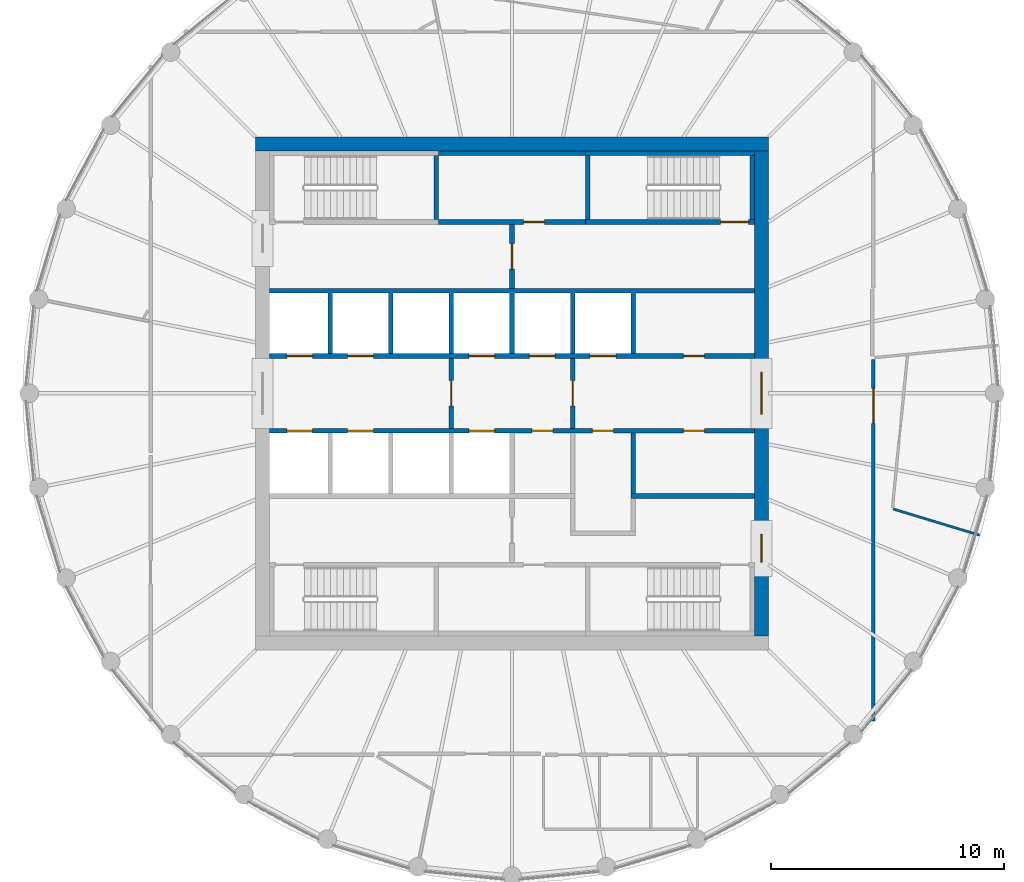
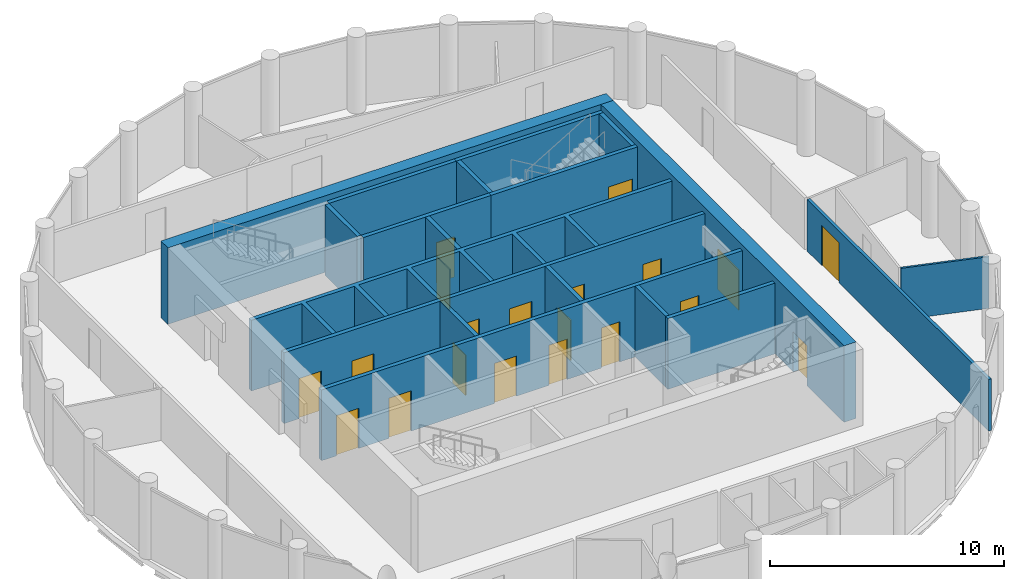
# One storey, part 5 of 7: 20 doors, 19 walls, 20 openings.
"""IFC4 building model written with IfcOpenShell, lengths in metres."""

from ifc_helpers import new_model, si_unit, direction, frame, frame_2d, origin, place, context, subcontext, project, spatial, polyline, rectangle, outline, extrude, material, layer, layer_set, type_object, element, fill, save


model = new_model("IFC4")

# Units and contexts
model_context = context("Model", 3, precision=1e-05, world=origin(), true_north=direction((0.0, 1.0)))
body_context = subcontext(model_context, "Body", "Model", "MODEL_VIEW")
ifc_project = project(units=[si_unit("LENGTHUNIT", "METRE"), si_unit("AREAUNIT", "SQUARE_METRE"), si_unit("VOLUMEUNIT", "CUBIC_METRE"), si_unit("PLANEANGLEUNIT", "RADIAN"), si_unit("MASSUNIT", "GRAM", prefix="KILO")], contexts=[model_context])

# Site, building, storey
site_placement = place(None, origin())
site = spatial("IfcSite", under=ifc_project, at=site_placement, CompositionType="ELEMENT")
building_placement = place(site_placement, origin())
building = spatial("IfcBuilding", under=site, at=building_placement, Name="Corvane Civic Tower", CompositionType="ELEMENT")
storey_placement = place(building_placement, frame((0.0, 0.0, 332.5)))
storey = spatial("IfcBuildingStorey", under=building, at=storey_placement, Name="L79", CompositionType="ELEMENT", Elevation=332.5)

# Wall
ifc_material_1 = material(Name="Concrete C40/50", Category="concrete")
ifc_layer_1 = layer(ifc_material_1, 0.60009765625)
ifc_layer_set_1 = layer_set([ifc_layer_1], Name="Concrete C40/50")
wall_type_1 = type_object("IfcWallType", Name="CORE WALL 600 C40/50", PredefinedType="SHEAR", material=ifc_layer_set_1)
wall_1_placement = place(storey_placement, frame((-11.0, 10.699951171875, 0.0), z_axis=(0.0, 0.0, 1.0), x_axis=(1.0, 0.0, 0.0)))
element("IfcWall", 1, at=wall_1_placement, inside=storey, type_object=wall_type_1, Name="W-L79-core-N", PredefinedType="SHEAR", context=body_context, shape_type="SweptSolid", body=[
    extrude(rectangle(XDim=22.0, YDim=0.60009765625, at=frame_2d((11.0, 0.0))), origin(), (0.0, 0.0, 1.0), 4.0),
])

# Wall, openings, doors
wall_2_placement = place(storey_placement, frame((10.699951171875, -10.39990234375, 0.0), z_axis=(0.0, 0.0, 1.0), x_axis=(0.0, 1.0, 0.0)))
wall_2 = element("IfcWall", 2, at=wall_2_placement, inside=storey, type_object=wall_type_1, Name="W-L79-core-E", PredefinedType="SHEAR", context=body_context, shape_type="SweptSolid", body=[
    extrude(rectangle(XDim=20.7998046875, YDim=0.60009765625, at=frame_2d((10.39990234375, 0.0))), origin(), (0.0, 0.0, 1.0), 4.0),
])
opening_1_placement = place(wall_2_placement, frame((9.5, 0.0, 0.0)))
opening_1 = element("IfcOpeningElement", 3, at=opening_1_placement, cuts=wall_2, Name="Opening L79.C16", PredefinedType="OPENING", context=body_context, shape_type="SweptSolid", body=[
    extrude(rectangle(XDim=1.800048828125, YDim=2.10009765625, at=frame_2d((0.89990234375, 1.050048828125))), frame((0.0, 0.31005859375, 0.0), z_axis=(0.0, -1.0, 0.0), x_axis=(1.0, 0.0, 0.0)), (0.0, 0.0, 1.0), 0.6201171875),
])
opening_2_placement = place(wall_2_placement, frame((3.14990234375, 0.0, 0.0)))
opening_2 = element("IfcOpeningElement", 4, at=opening_2_placement, cuts=wall_2, Name="Opening L79.C18", PredefinedType="OPENING", context=body_context, shape_type="SweptSolid", body=[
    extrude(rectangle(XDim=1.199951171875, YDim=2.10009765625, at=frame_2d((0.60009765625, 1.050048828125))), frame((0.0, 0.31005859375, 0.0), z_axis=(0.0, -1.0, 0.0), x_axis=(1.0, 0.0, 0.0)), (0.0, 0.0, 1.0), 0.6201171875),
])
ifc_material_2 = material(Name="Steel fire door leaf", Category="steel")
door_type_1 = type_object("IfcDoorType", Name="CR-DOOR-CORE-1800", OperationType="DOUBLE_DOOR_SINGLE_SWING", PredefinedType="DOOR", material=ifc_material_2)
door_1_placement = place(opening_1_placement, origin())
door_1 = element("IfcDoor", 5, at=door_1_placement, inside=storey, type_object=door_type_1, Name="L79 door", OperationType="DOUBLE_DOOR_SINGLE_SWING", OverallHeight=2.10009765625, OverallWidth=1.800048828125, PredefinedType="DOOR", context=body_context, shape_type="SweptSolid", body=[
    extrude(rectangle(XDim=1.800048828125, YDim=2.10009765625, at=frame_2d((0.89990234375, 1.050048828125))), frame((0.0, 0.02490234375, 0.0), z_axis=(0.0, -1.0, 0.0), x_axis=(1.0, 0.0, 0.0)), (0.0, 0.0, 1.0), 0.050048828125),
])
fill(opening_1, door_1)
door_2_placement = place(opening_2_placement, origin())
door_2 = element("IfcDoor", 6, at=door_2_placement, inside=storey, type_object=door_type_1, Name="L79 door", OperationType="DOUBLE_DOOR_SINGLE_SWING", OverallHeight=2.10009765625, OverallWidth=1.199951171875, PredefinedType="DOOR", context=body_context, shape_type="SweptSolid", body=[
    extrude(rectangle(XDim=1.199951171875, YDim=2.10009765625, at=frame_2d((0.60009765625, 1.050048828125))), frame((0.0, 0.02490234375, 0.0), z_axis=(0.0, -1.0, 0.0), x_axis=(1.0, 0.0, 0.0)), (0.0, 0.0, 1.0), 0.050048828125),
])
fill(opening_2, door_2)

ifc_material_3 = material(Name="Concrete C30/37", Category="concrete")
ifc_layer_2 = layer(ifc_material_3, 0.199951171875)
ifc_layer_set_2 = layer_set([ifc_layer_2], Name="Concrete C30/37")
wall_type_2 = type_object("IfcWallType", Name="CR-WALL-200", PredefinedType="PARTITIONING", material=ifc_layer_set_2)
wall_3_placement = place(storey_placement, frame((-10.39990234375, -1.60009765625, 0.0), z_axis=(0.0, 0.0, 1.0), x_axis=(1.0, 0.0, 0.0)))
wall_3 = element("IfcWall", 7, at=wall_3_placement, inside=storey, type_object=wall_type_2, Name="L79 lift shaft wall", PredefinedType="PARTITIONING", context=body_context, shape_type="SweptSolid", body=[
    extrude(rectangle(XDim=20.7998046875, YDim=0.199951171875, at=frame_2d((10.39990234375, 0.0))), origin(), (0.0, 0.0, 1.0), 3.699951171875),
])
opening_3_placement = place(wall_3_placement, frame((0.75, 0.0, 0.0)))
opening_3 = element("IfcOpeningElement", 8, at=opening_3_placement, cuts=wall_3, Name="Opening LD", PredefinedType="OPENING", context=body_context, shape_type="SweptSolid", body=[
    extrude(rectangle(XDim=1.10009765625, YDim=2.10009765625, at=frame_2d((0.550048828125, 1.050048828125))), frame((0.0, 0.10986328125, 0.0), z_axis=(0.0, -1.0, 0.0), x_axis=(1.0, 0.0, 0.0)), (0.0, 0.0, 1.0), 0.219970703125),
])
opening_4_placement = place(wall_3_placement, frame((3.35009765625, 0.0, 0.0)))
opening_4 = element("IfcOpeningElement", 9, at=opening_4_placement, cuts=wall_3, Name="Opening LD", PredefinedType="OPENING", context=body_context, shape_type="SweptSolid", body=[
    extrude(rectangle(XDim=1.10009765625, YDim=2.10009765625, at=frame_2d((0.550048828125, 1.050048828125))), frame((0.0, 0.10986328125, 0.0), z_axis=(0.0, -1.0, 0.0), x_axis=(1.0, 0.0, 0.0)), (0.0, 0.0, 1.0), 0.219970703125),
])
opening_5_placement = place(wall_3_placement, frame((8.550048828125, 0.0, 0.0)))
opening_5 = element("IfcOpeningElement", 10, at=opening_5_placement, cuts=wall_3, Name="Opening LD", PredefinedType="OPENING", context=body_context, shape_type="SweptSolid", body=[
    extrude(rectangle(XDim=1.10009765625, YDim=2.10009765625, at=frame_2d((0.550048828125, 1.050048828125))), frame((0.0, 0.10986328125, 0.0), z_axis=(0.0, -1.0, 0.0), x_axis=(1.0, 0.0, 0.0)), (0.0, 0.0, 1.0), 0.219970703125),
])
opening_6_placement = place(wall_3_placement, frame((11.25, 0.0, 0.0)))
opening_6 = element("IfcOpeningElement", 11, at=opening_6_placement, cuts=wall_3, Name="Opening L79.C02", PredefinedType="OPENING", context=body_context, shape_type="SweptSolid", body=[
    extrude(rectangle(XDim=0.89990234375, YDim=2.10009765625, at=frame_2d((0.449951171875, 1.050048828125))), frame((0.0, 0.10986328125, 0.0), z_axis=(0.0, -1.0, 0.0), x_axis=(1.0, 0.0, 0.0)), (0.0, 0.0, 1.0), 0.219970703125),
])
opening_7_placement = place(wall_3_placement, frame((13.85009765625, 0.0, 0.0)))
opening_7 = element("IfcOpeningElement", 12, at=opening_7_placement, cuts=wall_3, Name="Opening L79.C03", PredefinedType="OPENING", context=body_context, shape_type="SweptSolid", body=[
    extrude(rectangle(XDim=0.89990234375, YDim=2.10009765625, at=frame_2d((0.449951171875, 1.050048828125))), frame((0.0, 0.10986328125, 0.0), z_axis=(0.0, -1.0, 0.0), x_axis=(1.0, 0.0, 0.0)), (0.0, 0.0, 1.0), 0.219970703125),
])
opening_8_placement = place(wall_3_placement, frame((17.75, 0.0, 0.0)))
opening_8 = element("IfcOpeningElement", 13, at=opening_8_placement, cuts=wall_3, Name="Opening L79.C04", PredefinedType="OPENING", context=body_context, shape_type="SweptSolid", body=[
    extrude(rectangle(XDim=0.89990234375, YDim=2.10009765625, at=frame_2d((0.449951171875, 1.050048828125))), frame((0.0, 0.10986328125, 0.0), z_axis=(0.0, -1.0, 0.0), x_axis=(1.0, 0.0, 0.0)), (0.0, 0.0, 1.0), 0.219970703125),
])
ifc_material_4 = material(Name="Steel fire door leaf", Category="steel")
door_type_2 = type_object("IfcDoorType", Name="CR-DOOR-900", OperationType="SINGLE_SWING_LEFT", PredefinedType="DOOR", material=ifc_material_4)
door_3_placement = place(opening_6_placement, origin())
door_3 = element("IfcDoor", 14, at=door_3_placement, inside=storey, type_object=door_type_2, Name="L79 door", OperationType="SINGLE_SWING_LEFT", OverallHeight=2.10009765625, OverallWidth=0.89990234375, PredefinedType="DOOR", context=body_context, shape_type="SweptSolid", body=[
    extrude(rectangle(XDim=0.89990234375, YDim=2.10009765625, at=frame_2d((0.449951171875, 1.050048828125))), frame((0.0, 0.02490234375, 0.0), z_axis=(0.0, -1.0, 0.0), x_axis=(1.0, 0.0, 0.0)), (0.0, 0.0, 1.0), 0.050048828125),
])
fill(opening_6, door_3)
door_4_placement = place(opening_7_placement, origin())
door_4 = element("IfcDoor", 15, at=door_4_placement, inside=storey, type_object=door_type_2, Name="L79 door", OperationType="SINGLE_SWING_LEFT", OverallHeight=2.10009765625, OverallWidth=0.89990234375, PredefinedType="DOOR", context=body_context, shape_type="SweptSolid", body=[
    extrude(rectangle(XDim=0.89990234375, YDim=2.10009765625, at=frame_2d((0.449951171875, 1.050048828125))), frame((0.0, 0.02490234375, 0.0), z_axis=(0.0, -1.0, 0.0), x_axis=(1.0, 0.0, 0.0)), (0.0, 0.0, 1.0), 0.050048828125),
])
fill(opening_7, door_4)
door_5_placement = place(opening_8_placement, origin())
door_5 = element("IfcDoor", 16, at=door_5_placement, inside=storey, type_object=door_type_2, Name="L79 door", OperationType="SINGLE_SWING_LEFT", OverallHeight=2.10009765625, OverallWidth=0.89990234375, PredefinedType="DOOR", context=body_context, shape_type="SweptSolid", body=[
    extrude(rectangle(XDim=0.89990234375, YDim=2.10009765625, at=frame_2d((0.449951171875, 1.050048828125))), frame((0.0, 0.02490234375, 0.0), z_axis=(0.0, -1.0, 0.0), x_axis=(1.0, 0.0, 0.0)), (0.0, 0.0, 1.0), 0.050048828125),
])
fill(opening_8, door_5)
ifc_material_5 = material(Name="Stainless steel 316 door leaves", Category="steel")
door_type_3 = type_object("IfcDoorType", Name="LD", OperationType="DOUBLE_DOOR_SLIDING", PredefinedType="DOOR", material=ifc_material_5)
door_6_placement = place(opening_3_placement, origin())
door_6 = element("IfcDoor", 17, at=door_6_placement, inside=storey, type_object=door_type_3, Name="L79 landing door", OperationType="DOUBLE_DOOR_SLIDING", OverallHeight=2.10009765625, OverallWidth=1.10009765625, PredefinedType="DOOR", context=body_context, shape_type="SweptSolid", body=[
    extrude(rectangle(XDim=1.10009765625, YDim=2.10009765625, at=frame_2d((0.550048828125, 1.050048828125))), frame((0.0, 0.02490234375, 0.0), z_axis=(0.0, -1.0, 0.0), x_axis=(1.0, 0.0, 0.0)), (0.0, 0.0, 1.0), 0.050048828125),
])
fill(opening_3, door_6)
door_7_placement = place(opening_4_placement, origin())
door_7 = element("IfcDoor", 18, at=door_7_placement, inside=storey, type_object=door_type_3, Name="L79 landing door", OperationType="DOUBLE_DOOR_SLIDING", OverallHeight=2.10009765625, OverallWidth=1.10009765625, PredefinedType="DOOR", context=body_context, shape_type="SweptSolid", body=[
    extrude(rectangle(XDim=1.10009765625, YDim=2.10009765625, at=frame_2d((0.550048828125, 1.050048828125))), frame((0.0, 0.02490234375, 0.0), z_axis=(0.0, -1.0, 0.0), x_axis=(1.0, 0.0, 0.0)), (0.0, 0.0, 1.0), 0.050048828125),
])
fill(opening_4, door_7)
door_8_placement = place(opening_5_placement, origin())
door_8 = element("IfcDoor", 19, at=door_8_placement, inside=storey, type_object=door_type_3, Name="L79 landing door", OperationType="DOUBLE_DOOR_SLIDING", OverallHeight=2.10009765625, OverallWidth=1.10009765625, PredefinedType="DOOR", context=body_context, shape_type="SweptSolid", body=[
    extrude(rectangle(XDim=1.10009765625, YDim=2.10009765625, at=frame_2d((0.550048828125, 1.050048828125))), frame((0.0, 0.02490234375, 0.0), z_axis=(0.0, -1.0, 0.0), x_axis=(1.0, 0.0, 0.0)), (0.0, 0.0, 1.0), 0.050048828125),
])
fill(opening_5, door_8)

wall_4_placement = place(storey_placement, frame((-10.39990234375, 1.60009765625, 0.0), z_axis=(0.0, 0.0, 1.0), x_axis=(1.0, 0.0, 0.0)))
wall_4 = element("IfcWall", 20, at=wall_4_placement, inside=storey, type_object=wall_type_2, Name="L79 lift shaft wall", PredefinedType="PARTITIONING", context=body_context, shape_type="SweptSolid", body=[
    extrude(rectangle(XDim=20.7998046875, YDim=0.199951171875, at=frame_2d((10.39990234375, 0.0))), origin(), (0.0, 0.0, 1.0), 3.699951171875),
])
opening_9_placement = place(wall_4_placement, frame((0.75, 0.0, 0.0)))
opening_9 = element("IfcOpeningElement", 21, at=opening_9_placement, cuts=wall_4, Name="Opening LD", PredefinedType="OPENING", context=body_context, shape_type="SweptSolid", body=[
    extrude(rectangle(XDim=1.10009765625, YDim=2.10009765625, at=frame_2d((0.550048828125, 1.050048828125))), frame((0.0, 0.10986328125, 0.0), z_axis=(0.0, -1.0, 0.0), x_axis=(1.0, 0.0, 0.0)), (0.0, 0.0, 1.0), 0.219970703125),
])
opening_10_placement = place(wall_4_placement, frame((3.35009765625, 0.0, 0.0)))
opening_10 = element("IfcOpeningElement", 22, at=opening_10_placement, cuts=wall_4, Name="Opening LD", PredefinedType="OPENING", context=body_context, shape_type="SweptSolid", body=[
    extrude(rectangle(XDim=1.10009765625, YDim=2.10009765625, at=frame_2d((0.550048828125, 1.050048828125))), frame((0.0, 0.10986328125, 0.0), z_axis=(0.0, -1.0, 0.0), x_axis=(1.0, 0.0, 0.0)), (0.0, 0.0, 1.0), 0.219970703125),
])
opening_11_placement = place(wall_4_placement, frame((8.550048828125, 0.0, 0.0)))
opening_11 = element("IfcOpeningElement", 23, at=opening_11_placement, cuts=wall_4, Name="Opening LD", PredefinedType="OPENING", context=body_context, shape_type="SweptSolid", body=[
    extrude(rectangle(XDim=1.10009765625, YDim=2.10009765625, at=frame_2d((0.550048828125, 1.050048828125))), frame((0.0, 0.10986328125, 0.0), z_axis=(0.0, -1.0, 0.0), x_axis=(1.0, 0.0, 0.0)), (0.0, 0.0, 1.0), 0.219970703125),
])
opening_12_placement = place(wall_4_placement, frame((11.14990234375, 0.0, 0.0)))
opening_12 = element("IfcOpeningElement", 24, at=opening_12_placement, cuts=wall_4, Name="Opening LD", PredefinedType="OPENING", context=body_context, shape_type="SweptSolid", body=[
    extrude(rectangle(XDim=1.10009765625, YDim=2.10009765625, at=frame_2d((0.550048828125, 1.050048828125))), frame((0.0, 0.10986328125, 0.0), z_axis=(0.0, -1.0, 0.0), x_axis=(1.0, 0.0, 0.0)), (0.0, 0.0, 1.0), 0.219970703125),
])
opening_13_placement = place(wall_4_placement, frame((13.75, 0.0, 0.0)))
opening_13 = element("IfcOpeningElement", 25, at=opening_13_placement, cuts=wall_4, Name="Opening LD", PredefinedType="OPENING", context=body_context, shape_type="SweptSolid", body=[
    extrude(rectangle(XDim=1.10009765625, YDim=2.10009765625, at=frame_2d((0.550048828125, 1.050048828125))), frame((0.0, 0.10986328125, 0.0), z_axis=(0.0, -1.0, 0.0), x_axis=(1.0, 0.0, 0.0)), (0.0, 0.0, 1.0), 0.219970703125),
])
opening_14_placement = place(wall_4_placement, frame((17.75, 0.0, 0.0)))
opening_14 = element("IfcOpeningElement", 26, at=opening_14_placement, cuts=wall_4, Name="Opening L79.C01", PredefinedType="OPENING", context=body_context, shape_type="SweptSolid", body=[
    extrude(rectangle(XDim=0.89990234375, YDim=2.10009765625, at=frame_2d((0.449951171875, 1.050048828125))), frame((0.0, 0.10986328125, 0.0), z_axis=(0.0, -1.0, 0.0), x_axis=(1.0, 0.0, 0.0)), (0.0, 0.0, 1.0), 0.219970703125),
])
door_9_placement = place(opening_14_placement, origin())
door_9 = element("IfcDoor", 27, at=door_9_placement, inside=storey, type_object=door_type_2, Name="L79 door", OperationType="SINGLE_SWING_LEFT", OverallHeight=2.10009765625, OverallWidth=0.89990234375, PredefinedType="DOOR", context=body_context, shape_type="SweptSolid", body=[
    extrude(rectangle(XDim=0.89990234375, YDim=2.10009765625, at=frame_2d((0.449951171875, 1.050048828125))), frame((0.0, 0.02490234375, 0.0), z_axis=(0.0, -1.0, 0.0), x_axis=(1.0, 0.0, 0.0)), (0.0, 0.0, 1.0), 0.050048828125),
])
fill(opening_14, door_9)
door_10_placement = place(opening_9_placement, origin())
door_10 = element("IfcDoor", 28, at=door_10_placement, inside=storey, type_object=door_type_3, Name="L79 landing door", OperationType="DOUBLE_DOOR_SLIDING", OverallHeight=2.10009765625, OverallWidth=1.10009765625, PredefinedType="DOOR", context=body_context, shape_type="SweptSolid", body=[
    extrude(rectangle(XDim=1.10009765625, YDim=2.10009765625, at=frame_2d((0.550048828125, 1.050048828125))), frame((0.0, 0.02490234375, 0.0), z_axis=(0.0, -1.0, 0.0), x_axis=(1.0, 0.0, 0.0)), (0.0, 0.0, 1.0), 0.050048828125),
])
fill(opening_9, door_10)
door_11_placement = place(opening_10_placement, origin())
door_11 = element("IfcDoor", 29, at=door_11_placement, inside=storey, type_object=door_type_3, Name="L79 landing door", OperationType="DOUBLE_DOOR_SLIDING", OverallHeight=2.10009765625, OverallWidth=1.10009765625, PredefinedType="DOOR", context=body_context, shape_type="SweptSolid", body=[
    extrude(rectangle(XDim=1.10009765625, YDim=2.10009765625, at=frame_2d((0.550048828125, 1.050048828125))), frame((0.0, 0.02490234375, 0.0), z_axis=(0.0, -1.0, 0.0), x_axis=(1.0, 0.0, 0.0)), (0.0, 0.0, 1.0), 0.050048828125),
])
fill(opening_10, door_11)
door_12_placement = place(opening_11_placement, origin())
door_12 = element("IfcDoor", 30, at=door_12_placement, inside=storey, type_object=door_type_3, Name="L79 landing door", OperationType="DOUBLE_DOOR_SLIDING", OverallHeight=2.10009765625, OverallWidth=1.10009765625, PredefinedType="DOOR", context=body_context, shape_type="SweptSolid", body=[
    extrude(rectangle(XDim=1.10009765625, YDim=2.10009765625, at=frame_2d((0.550048828125, 1.050048828125))), frame((0.0, 0.02490234375, 0.0), z_axis=(0.0, -1.0, 0.0), x_axis=(1.0, 0.0, 0.0)), (0.0, 0.0, 1.0), 0.050048828125),
])
fill(opening_11, door_12)
door_13_placement = place(opening_12_placement, origin())
door_13 = element("IfcDoor", 31, at=door_13_placement, inside=storey, type_object=door_type_3, Name="L79 landing door", OperationType="DOUBLE_DOOR_SLIDING", OverallHeight=2.10009765625, OverallWidth=1.10009765625, PredefinedType="DOOR", context=body_context, shape_type="SweptSolid", body=[
    extrude(rectangle(XDim=1.10009765625, YDim=2.10009765625, at=frame_2d((0.550048828125, 1.050048828125))), frame((0.0, 0.02490234375, 0.0), z_axis=(0.0, -1.0, 0.0), x_axis=(1.0, 0.0, 0.0)), (0.0, 0.0, 1.0), 0.050048828125),
])
fill(opening_12, door_13)
door_14_placement = place(opening_13_placement, origin())
door_14 = element("IfcDoor", 32, at=door_14_placement, inside=storey, type_object=door_type_3, Name="L79 landing door", OperationType="DOUBLE_DOOR_SLIDING", OverallHeight=2.10009765625, OverallWidth=1.10009765625, PredefinedType="DOOR", context=body_context, shape_type="SweptSolid", body=[
    extrude(rectangle(XDim=1.10009765625, YDim=2.10009765625, at=frame_2d((0.550048828125, 1.050048828125))), frame((0.0, 0.02490234375, 0.0), z_axis=(0.0, -1.0, 0.0), x_axis=(1.0, 0.0, 0.0)), (0.0, 0.0, 1.0), 0.050048828125),
])
fill(opening_13, door_14)

# Wall, opening, door
wall_5_placement = place(storey_placement, frame((-3.14990234375, 7.35009765625, 0.0), z_axis=(0.0, 0.0, 1.0), x_axis=(1.0, 0.0, 0.0)))
wall_5 = element("IfcWall", 33, at=wall_5_placement, inside=storey, type_object=wall_type_2, Name="L79 partition wall", PredefinedType="PARTITIONING", context=body_context, shape_type="SweptSolid", body=[
    extrude(rectangle(XDim=6.2998046875, YDim=0.199951171875, at=frame_2d((3.14990234375, 0.0))), origin(), (0.0, 0.0, 1.0), 3.699951171875),
])
opening_15_placement = place(wall_5_placement, frame((3.64990234375, 0.0, 0.0)))
opening_15 = element("IfcOpeningElement", 34, at=opening_15_placement, cuts=wall_5, Name="Opening L79.C05", PredefinedType="OPENING", context=body_context, shape_type="SweptSolid", body=[
    extrude(rectangle(XDim=0.89990234375, YDim=2.10009765625, at=frame_2d((0.449951171875, 1.050048828125))), frame((0.0, 0.10986328125, 0.0), z_axis=(0.0, -1.0, 0.0), x_axis=(1.0, 0.0, 0.0)), (0.0, 0.0, 1.0), 0.219970703125),
])
door_15_placement = place(opening_15_placement, origin())
door_15 = element("IfcDoor", 35, at=door_15_placement, inside=storey, type_object=door_type_2, Name="L79 door", OperationType="SINGLE_SWING_LEFT", OverallHeight=2.10009765625, OverallWidth=0.89990234375, PredefinedType="DOOR", context=body_context, shape_type="SweptSolid", body=[
    extrude(rectangle(XDim=0.89990234375, YDim=2.10009765625, at=frame_2d((0.449951171875, 1.050048828125))), frame((0.0, 0.02490234375, 0.0), z_axis=(0.0, -1.0, 0.0), x_axis=(1.0, 0.0, 0.0)), (0.0, 0.0, 1.0), 0.050048828125),
])
fill(opening_15, door_15)

wall_6_placement = place(storey_placement, frame((-2.60009765625, -1.5, 0.0), z_axis=(0.0, 0.0, 1.0), x_axis=(0.0, 1.0, 0.0)))
wall_6 = element("IfcWall", 36, at=wall_6_placement, inside=storey, type_object=wall_type_2, Name="L79 firefighting lobby wall", PredefinedType="PARTITIONING", context=body_context, shape_type="SweptSolid", body=[
    extrude(rectangle(XDim=3.0, YDim=0.199951171875, at=frame_2d((1.5, 0.0))), origin(), (0.0, 0.0, 1.0), 3.699951171875),
])
opening_16_placement = place(wall_6_placement, frame((0.949951171875, 0.0, 0.0)))
opening_16 = element("IfcOpeningElement", 37, at=opening_16_placement, cuts=wall_6, Name="Opening L79.C11", PredefinedType="OPENING", context=body_context, shape_type="SweptSolid", body=[
    extrude(rectangle(XDim=1.10009765625, YDim=2.10009765625, at=frame_2d((0.550048828125, 1.050048828125))), frame((0.0, 0.10986328125, 0.0), z_axis=(0.0, -1.0, 0.0), x_axis=(1.0, 0.0, 0.0)), (0.0, 0.0, 1.0), 0.219970703125),
])
ifc_material_6 = material(Name="Steel fire door leaf", Category="steel")
door_type_4 = type_object("IfcDoorType", Name="CR-DOOR-FFL-1100", OperationType="SINGLE_SWING_LEFT", PredefinedType="DOOR", material=ifc_material_6)
door_16_placement = place(opening_16_placement, origin())
door_16 = element("IfcDoor", 38, at=door_16_placement, inside=storey, type_object=door_type_4, Name="L79 lobby door", OperationType="SINGLE_SWING_LEFT", OverallHeight=2.10009765625, OverallWidth=1.10009765625, PredefinedType="DOOR", context=body_context, shape_type="SweptSolid", body=[
    extrude(rectangle(XDim=1.10009765625, YDim=2.10009765625, at=frame_2d((0.550048828125, 1.050048828125))), frame((0.0, 0.02490234375, 0.0), z_axis=(0.0, -1.0, 0.0), x_axis=(1.0, 0.0, 0.0)), (0.0, 0.0, 1.0), 0.050048828125),
])
fill(opening_16, door_16)

wall_7_placement = place(storey_placement, frame((0.0, 4.5, 0.0), z_axis=(0.0, 0.0, 1.0), x_axis=(0.0, 1.0, 0.0)))
wall_7 = element("IfcWall", 39, at=wall_7_placement, inside=storey, type_object=wall_type_2, Name="L79 core partition wall", PredefinedType="PARTITIONING", context=body_context, shape_type="SweptSolid", body=[
    extrude(rectangle(XDim=2.75, YDim=0.199951171875, at=frame_2d((1.375, 0.0))), origin(), (0.0, 0.0, 1.0), 3.699951171875),
])
opening_17_placement = place(wall_7_placement, frame((0.824951171875, 0.0, 0.0)))
opening_17 = element("IfcOpeningElement", 40, at=opening_17_placement, cuts=wall_7, Name="Opening L79.C13", PredefinedType="OPENING", context=body_context, shape_type="SweptSolid", body=[
    extrude(rectangle(XDim=1.10009765625, YDim=2.10009765625, at=frame_2d((0.550048828125, 1.050048828125))), frame((0.0, 0.10986328125, 0.0), z_axis=(0.0, -1.0, 0.0), x_axis=(1.0, 0.0, 0.0)), (0.0, 0.0, 1.0), 0.219970703125),
])
door_17_placement = place(opening_17_placement, origin())
door_17 = element("IfcDoor", 41, at=door_17_placement, inside=storey, type_object=door_type_4, Name="L79 lobby door", OperationType="SINGLE_SWING_LEFT", OverallHeight=2.10009765625, OverallWidth=1.10009765625, PredefinedType="DOOR", context=body_context, shape_type="SweptSolid", body=[
    extrude(rectangle(XDim=1.10009765625, YDim=2.10009765625, at=frame_2d((0.550048828125, 1.050048828125))), frame((0.0, 0.02490234375, 0.0), z_axis=(0.0, -1.0, 0.0), x_axis=(1.0, 0.0, 0.0)), (0.0, 0.0, 1.0), 0.050048828125),
])
fill(opening_17, door_17)

wall_8_placement = place(storey_placement, frame((2.60009765625, -1.5, 0.0), z_axis=(0.0, 0.0, 1.0), x_axis=(0.0, 1.0, 0.0)))
wall_8 = element("IfcWall", 42, at=wall_8_placement, inside=storey, type_object=wall_type_2, Name="L79 firefighting lobby wall", PredefinedType="PARTITIONING", context=body_context, shape_type="SweptSolid", body=[
    extrude(rectangle(XDim=3.0, YDim=0.199951171875, at=frame_2d((1.5, 0.0))), origin(), (0.0, 0.0, 1.0), 3.699951171875),
])
opening_18_placement = place(wall_8_placement, frame((0.949951171875, 0.0, 0.0)))
opening_18 = element("IfcOpeningElement", 43, at=opening_18_placement, cuts=wall_8, Name="Opening L79.C12", PredefinedType="OPENING", context=body_context, shape_type="SweptSolid", body=[
    extrude(rectangle(XDim=1.10009765625, YDim=2.10009765625, at=frame_2d((0.550048828125, 1.050048828125))), frame((0.0, 0.10986328125, 0.0), z_axis=(0.0, -1.0, 0.0), x_axis=(1.0, 0.0, 0.0)), (0.0, 0.0, 1.0), 0.219970703125),
])
door_18_placement = place(opening_18_placement, origin())
door_18 = element("IfcDoor", 44, at=door_18_placement, inside=storey, type_object=door_type_4, Name="L79 lobby door", OperationType="SINGLE_SWING_LEFT", OverallHeight=2.10009765625, OverallWidth=1.10009765625, PredefinedType="DOOR", context=body_context, shape_type="SweptSolid", body=[
    extrude(rectangle(XDim=1.10009765625, YDim=2.10009765625, at=frame_2d((0.550048828125, 1.050048828125))), frame((0.0, 0.02490234375, 0.0), z_axis=(0.0, -1.0, 0.0), x_axis=(1.0, 0.0, 0.0)), (0.0, 0.0, 1.0), 0.050048828125),
])
fill(opening_18, door_18)

# Walls
wall_9_placement = place(storey_placement, origin())
element("IfcWall", 45, at=wall_9_placement, inside=storey, type_object=wall_type_2, Name="L79 core partition wall", PredefinedType="PARTITIONING", context=body_context, shape_type="SweptSolid", body=[
    extrude(outline(polyline([(10.39990234375, -4.5), (5.10009765625, -4.5), (5.10009765625, -4.300048828125), (10.39990234375, -4.300048828125), (10.39990234375, -4.5)])), origin(), (0.0, 0.0, 1.0), 3.699951171875),
])
wall_10_placement = place(storey_placement, origin())
element("IfcWall", 46, at=wall_10_placement, inside=storey, type_object=wall_type_2, Name="L79 core partition wall", PredefinedType="PARTITIONING", context=body_context, shape_type="SweptSolid", body=[
    extrude(outline(polyline([(5.300048828125, -1.699951171875), (5.300048828125, -4.2998046875), (5.10009765625, -4.2998046875), (5.10009765625, -1.699951171875), (5.300048828125, -1.699951171875)])), origin(), (0.0, 0.0, 1.0), 3.699951171875),
])
wall_11_placement = place(storey_placement, origin())
element("IfcWall", 47, at=wall_11_placement, inside=storey, type_object=wall_type_2, Name="L79 core partition wall", PredefinedType="PARTITIONING", context=body_context, shape_type="SweptSolid", body=[
    extrude(outline(polyline([(-7.699951171875, 1.699951171875), (-7.89990234375, 1.699951171875), (-7.89990234375, 4.300048828125), (-10.39990234375, 4.300048828125), (-10.39990234375, 4.5), (10.39990234375, 4.5), (10.39990234375, 4.300048828125), (5.300048828125, 4.300048828125), (5.300048828125, 1.699951171875), (5.10009765625, 1.699951171875), (5.10009765625, 4.300048828125), (2.699951171875, 4.300048828125), (2.699951171875, 1.699951171875), (2.5, 1.699951171875), (2.5, 4.300048828125), (0.10009765625, 4.300048828125), (0.10009765625, 1.699951171875), (-0.10009765625, 1.699951171875), (-0.10009765625, 4.300048828125), (-2.5, 4.300048828125), (-2.5, 1.699951171875), (-2.699951171875, 1.699951171875), (-2.699951171875, 4.300048828125), (-5.10009765625, 4.300048828125), (-5.10009765625, 1.699951171875), (-5.300048828125, 1.699951171875), (-5.300048828125, 4.300048828125), (-7.699951171875, 4.300048828125), (-7.699951171875, 1.699951171875)])), origin(), (0.0, 0.0, 1.0), 3.699951171875),
])
wall_12_placement = place(storey_placement, origin())
element("IfcWall", 48, at=wall_12_placement, inside=storey, type_object=wall_type_2, Name="L79 core partition wall", PredefinedType="PARTITIONING", context=body_context, shape_type="SweptSolid", body=[
    extrude(outline(polyline([(3.14990234375, 10.199951171875), (-3.14990234375, 10.199951171875), (-3.14990234375, 10.39990234375), (3.14990234375, 10.39990234375), (3.14990234375, 10.199951171875)])), origin(), (0.0, 0.0, 1.0), 3.699951171875),
])
ifc_material_7 = material(Name="Plasterboard")
ifc_layer_3 = layer(ifc_material_7, 0.10009765625)
ifc_layer_set_3 = layer_set([ifc_layer_3], Name="Plasterboard")
wall_type_3 = type_object("IfcWallType", Name="Partition 100 plasterboard on studs", PredefinedType="PARTITIONING", material=ifc_layer_set_3)
wall_13_placement = place(storey_placement, frame((16.350830078125, -4.9599609375, 0.0), z_axis=(0.0, 0.0, 1.0), x_axis=(0.956938267548, -0.290291495055, 0.0)))
element("IfcWall", 49, at=wall_13_placement, inside=storey, type_object=wall_type_3, Name="Partition L79.013", PredefinedType="PARTITIONING", context=body_context, shape_type="SweptSolid", body=[
    extrude(rectangle(XDim=3.863525390625, YDim=0.10009765625, at=frame_2d((1.931640625, 0.0))), origin(), (0.0, 0.0, 1.0), 2.699951171875),
])

# Wall, opening, door
ifc_material_8 = material(Name="Concrete C50/60", Category="concrete")
ifc_layer_4 = layer(ifc_material_8, 0.199951171875)
ifc_layer_set_4 = layer_set([ifc_layer_4], Name="Concrete C50/60")
wall_type_4 = type_object("IfcWallType", Name="ST-WALL-200", PredefinedType="SHEAR", material=ifc_layer_set_4)
wall_14_placement = place(storey_placement, frame((3.14990234375, 7.35009765625, 0.0), z_axis=(0.0, 0.0, 1.0), x_axis=(1.0, 0.0, 0.0)))
wall_14 = element("IfcWall", 50, at=wall_14_placement, inside=storey, type_object=wall_type_4, Name="L79 stair enclosure wall", PredefinedType="SHEAR", context=body_context, shape_type="SweptSolid", body=[
    extrude(rectangle(XDim=7.25, YDim=0.199951171875, at=frame_2d((3.625, 0.0))), origin(), (0.0, 0.0, 1.0), 3.699951171875),
])
opening_19_placement = place(wall_14_placement, frame((5.800048828125, 0.0, 0.0)))
opening_19 = element("IfcOpeningElement", 51, at=opening_19_placement, cuts=wall_14, Name="Opening L79.C07", PredefinedType="OPENING", context=body_context, shape_type="SweptSolid", body=[
    extrude(rectangle(XDim=1.199951171875, YDim=2.10009765625, at=frame_2d((0.60009765625, 1.050048828125))), frame((0.0, 0.10986328125, 0.0), z_axis=(0.0, -1.0, 0.0), x_axis=(1.0, 0.0, 0.0)), (0.0, 0.0, 1.0), 0.219970703125),
])
ifc_material_9 = material(Name="Steel fire door leaf", Category="steel")
door_type_5 = type_object("IfcDoorType", Name="ST-DOOR-1200", OperationType="SINGLE_SWING_RIGHT", PredefinedType="DOOR", material=ifc_material_9)
door_19_placement = place(opening_19_placement, origin())
door_19 = element("IfcDoor", 52, at=door_19_placement, inside=storey, type_object=door_type_5, Name="L79 stair door", OperationType="SINGLE_SWING_RIGHT", OverallHeight=2.10009765625, OverallWidth=1.199951171875, PredefinedType="DOOR", context=body_context, shape_type="SweptSolid", body=[
    extrude(rectangle(XDim=1.199951171875, YDim=2.10009765625, at=frame_2d((0.60009765625, 1.050048828125))), frame((0.0, 0.02490234375, 0.0), z_axis=(0.0, -1.0, 0.0), x_axis=(1.0, 0.0, 0.0)), (0.0, 0.0, 1.0), 0.050048828125),
])
fill(opening_19, door_19)

# Walls
wall_15_placement = place(storey_placement, origin())
element("IfcWall", 53, at=wall_15_placement, inside=storey, type_object=wall_type_4, Name="L79 stair enclosure wall", PredefinedType="SHEAR", context=body_context, shape_type="SweptSolid", body=[
    extrude(outline(polyline([(10.39990234375, 10.199951171875), (3.14990234375, 10.199951171875), (3.14990234375, 10.39990234375), (10.39990234375, 10.39990234375), (10.39990234375, 10.199951171875)])), origin(), (0.0, 0.0, 1.0), 3.699951171875),
])
wall_16_placement = place(storey_placement, origin())
element("IfcWall", 54, at=wall_16_placement, inside=storey, type_object=wall_type_4, Name="L79 stair enclosure wall", PredefinedType="SHEAR", context=body_context, shape_type="SweptSolid", body=[
    extrude(outline(polyline([(-3.14990234375, 7.449951171875), (-3.35009765625, 7.449951171875), (-3.35009765625, 10.199951171875), (-3.14990234375, 10.199951171875), (-3.14990234375, 7.449951171875)])), origin(), (0.0, 0.0, 1.0), 3.699951171875),
])
wall_17_placement = place(storey_placement, origin())
element("IfcWall", 55, at=wall_17_placement, inside=storey, type_object=wall_type_4, Name="L79 stair enclosure wall", PredefinedType="SHEAR", context=body_context, shape_type="SweptSolid", body=[
    extrude(outline(polyline([(3.35009765625, 7.449951171875), (3.14990234375, 7.449951171875), (3.14990234375, 10.199951171875), (3.35009765625, 10.199951171875), (3.35009765625, 7.449951171875)])), origin(), (0.0, 0.0, 1.0), 3.699951171875),
])
wall_18_placement = place(storey_placement, origin())
element("IfcWall", 56, at=wall_18_placement, inside=storey, type_object=wall_type_4, Name="L79 stair enclosure wall", PredefinedType="SHEAR", context=body_context, shape_type="SweptSolid", body=[
    extrude(outline(polyline([(10.39990234375, 7.449951171875), (10.199951171875, 7.449951171875), (10.199951171875, 10.199951171875), (10.39990234375, 10.199951171875), (10.39990234375, 7.449951171875)])), origin(), (0.0, 0.0, 1.0), 3.699951171875),
])

# Wall, opening, door
ifc_material_10 = material(Name="Plasterboard")
ifc_layer_5 = layer(ifc_material_10, 0.14990234375)
ifc_layer_set_5 = layer_set([ifc_layer_5], Name="Plasterboard")
wall_type_5 = type_object("IfcWallType", Name="Tenancy wall 150 EI 60", PredefinedType="PARTITIONING", material=ifc_layer_set_5)
wall_19_placement = place(storey_placement, frame((15.5, -14.05712890625, 0.0), z_axis=(0.0, 0.0, 1.0), x_axis=(0.0, 1.0, 0.0)))
wall_19 = element("IfcWall", 57, at=wall_19_placement, inside=storey, type_object=wall_type_5, Name="Partition L79.012", PredefinedType="PARTITIONING", context=body_context, shape_type="SweptSolid", body=[
    extrude(rectangle(XDim=15.515625, YDim=0.14990234375, at=frame_2d((7.7578125, 0.0))), origin(), (0.0, 0.0, 1.0), 2.699951171875),
])
opening_20_placement = place(wall_19_placement, frame((12.771484375, 0.0, 0.0)))
opening_20 = element("IfcOpeningElement", 58, at=opening_20_placement, cuts=wall_19, Name="Opening L79.010", PredefinedType="OPENING", context=body_context, shape_type="SweptSolid", body=[
    extrude(rectangle(XDim=1.5, YDim=2.10009765625, at=frame_2d((0.75, 1.050048828125))), frame((0.0, 0.0849609375, 0.0), z_axis=(0.0, -1.0, 0.0), x_axis=(1.0, 0.0, 0.0)), (0.0, 0.0, 1.0), 0.169921875),
])
ifc_material_11 = material(Name="Steel and timber", Category="steel")
door_type_6 = type_object("IfcDoorType", Name="Fire door FD60 double 1500", OperationType="NOTDEFINED", PredefinedType="DOOR", material=ifc_material_11)
door_20_placement = place(opening_20_placement, frame((1.5, 0.0, 0.0), z_axis=(0.0, 0.0, 1.0), x_axis=(-1.0, 0.0, 0.0)))
door_20 = element("IfcDoor", 59, at=door_20_placement, inside=storey, type_object=door_type_6, Name="Door L79.010", OperationType="DOUBLE_DOOR_SINGLE_SWING", OverallHeight=2.10009765625, OverallWidth=1.5, PredefinedType="DOOR", context=body_context, shape_type="SweptSolid", body=[
    extrude(rectangle(XDim=1.5, YDim=2.10009765625, at=frame_2d((0.75, 1.050048828125))), frame((0.0, 0.02490234375, 0.0), z_axis=(0.0, -1.0, 0.0), x_axis=(1.0, 0.0, 0.0)), (0.0, 0.0, 1.0), 0.050048828125),
])
fill(opening_20, door_20)

save(model, "model.ifc")
